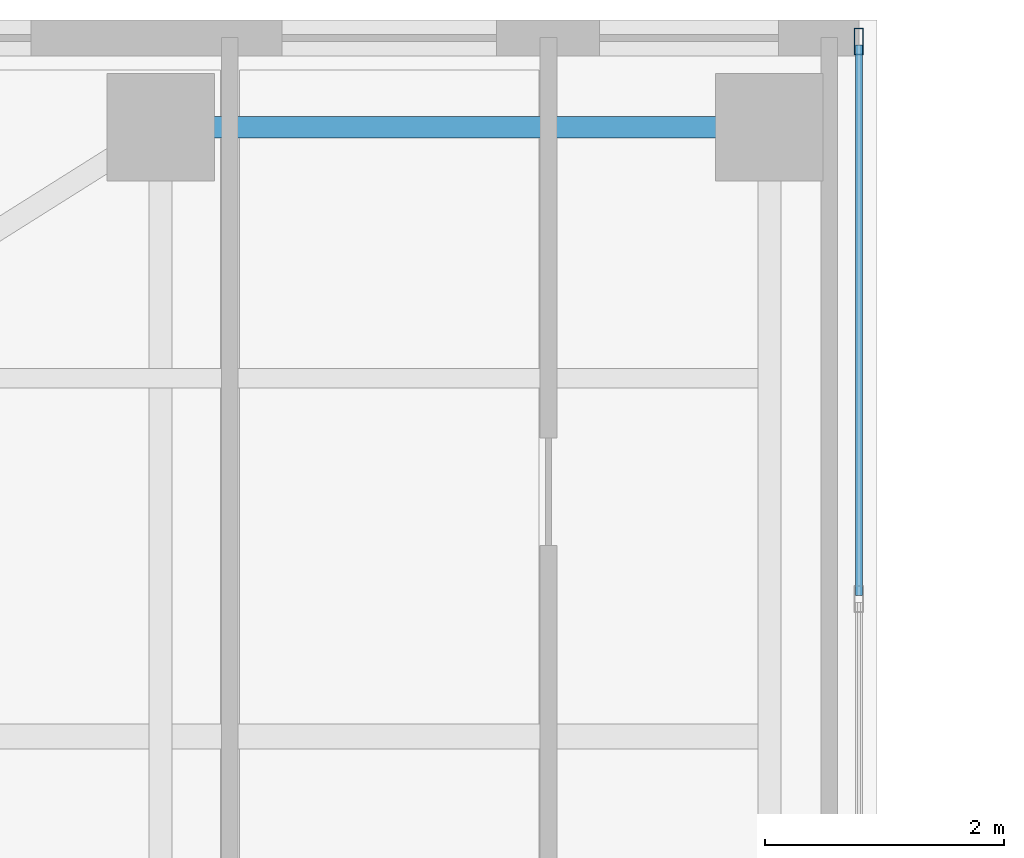
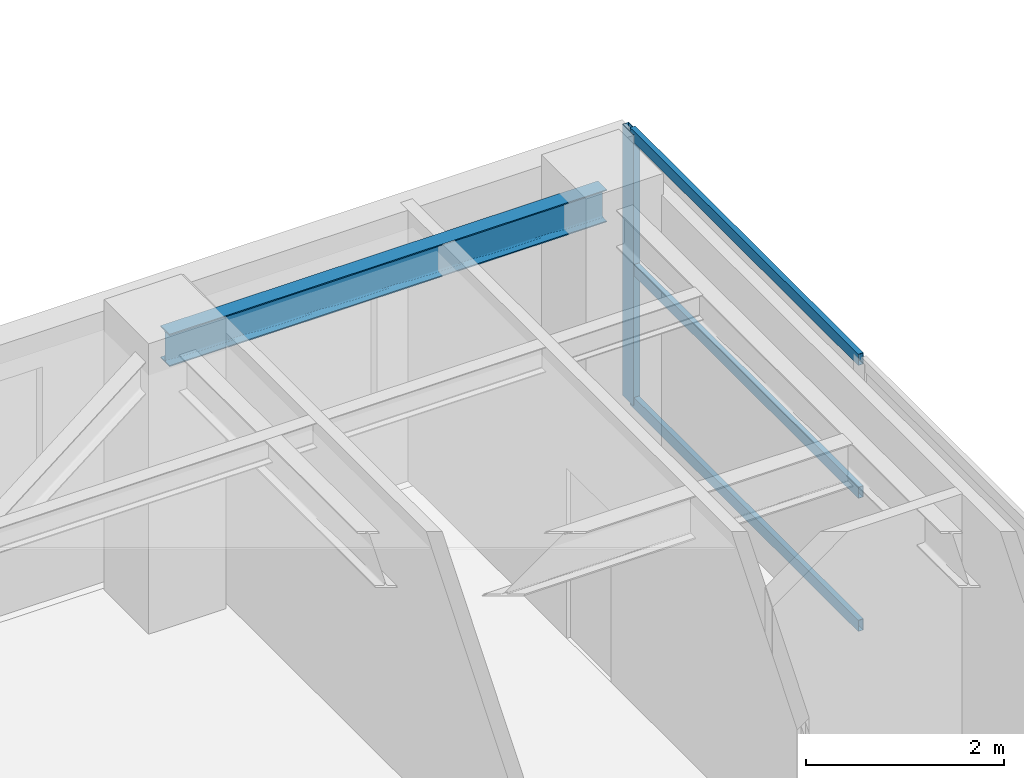
# One storey, part 14 of 22: 4 members, 1 beam, 1 element without a shape of its own.
"""IFC4 building model written with IfcOpenShell, lengths in metres."""

from ifc_helpers import new_model, si_unit, direction, frame, origin, origin_2d, place, context, subcontext, project, spatial, hollow_rectangle, i_section, extrude, source, transform, mapped, material, layer, layer_set, material_profile, profile_set, type_object, element, aggregate, save


model = new_model("IFC4")

# Units and contexts
model_context = context("Model", 3, precision=1e-05, world=origin(), true_north=direction((0.0, 1.0)))
body_context = subcontext(model_context, "Body", "Model", "MODEL_VIEW")
ifc_project = project(units=[si_unit("LENGTHUNIT", "METRE"), si_unit("AREAUNIT", "SQUARE_METRE"), si_unit("VOLUMEUNIT", "CUBIC_METRE"), si_unit("PLANEANGLEUNIT", "RADIAN"), si_unit("MASSUNIT", "GRAM", prefix="KILO")], contexts=[model_context])

# Site, building, storey
site_placement = place(None, origin())
site = spatial("IfcSite", under=ifc_project, at=site_placement, CompositionType="ELEMENT")
building_placement = place(site_placement, origin())
building = spatial("IfcBuilding", under=site, at=building_placement, Name="Khoralis Quay Care Tower", CompositionType="ELEMENT")
storey_placement = place(building_placement, frame((0.0, 0.0, 184.5)))
storey = spatial("IfcBuildingStorey", under=building, at=storey_placement, Name="L48", CompositionType="ELEMENT", Elevation=184.5)

# Beam
ifc_material_1 = material(Name="Steel S355", Category="steel")
ifc_material_profile_1 = material_profile(ifc_material_1, i_section(OverallWidth=0.179931640625, OverallDepth=0.39990234375, WebThickness=0.008544921875, FlangeThickness=0.013427734375, FilletRadius=0.02099609375, at=origin_2d()), Name="Steel S355")
ifc_profile_set_1 = profile_set([ifc_material_profile_1], Name="Steel S355")
beam_type = type_object("IfcBeamType", Name="BM-IPE400", PredefinedType="SPANDREL", material=ifc_profile_set_1)
shared_shape_1 = source(origin(), body_context, "Body", "SweptSolid", [
    extrude(i_section(OverallWidth=0.179931640625, OverallDepth=0.39990234375, WebThickness=0.008544921875, FlangeThickness=0.013427734375, FilletRadius=0.02099609375, at=origin_2d()), origin(), (0.0, 0.0, 1.0), 5.10009765625),
])
beam_placement = place(storey_placement, frame((12.0, 41.10009765625, 3.139892578125), z_axis=(1.0, 0.0, 0.0), x_axis=(0.0, 1.0, 0.0)))
element("IfcBeam", 1, at=beam_placement, inside=storey, type_object=beam_type, Name="BM-TSP-L48-03", PredefinedType="SPANDREL", context=body_context, shape_type="MappedRepresentation", body=[
    mapped(shared_shape_1, transform((0.0, 0.0, 0.0), scale=1.0)),
])

# Curtain wall, members
ifc_material_2 = material(Name="Pale anodised aluminium", Category="aluminium")
ifc_layer = layer(ifc_material_2, 0.18994140625)
ifc_layer_set = layer_set([ifc_layer], Name="Pale anodised aluminium")
curtain_wall_type = type_object("IfcCurtainWallType", Name="CW-SYS-PORTAL", PredefinedType="NOTDEFINED", material=ifc_layer_set)
curtain_wall_placement = place(storey_placement, origin())
curtain_wall = element("IfcCurtainWall", 2, at=curtain_wall_placement, inside=storey, type_object=curtain_wall_type, Name="L48 Unitised Curtain Wall CW-VP-L48-P1-N", PredefinedType="NOTDEFINED")
ifc_material_profile_2 = material_profile(ifc_material_2, hollow_rectangle(XDim=0.074951171875, YDim=0.219970703125, WallThickness=0.00390625, at=origin_2d()), Name="Pale anodised aluminium")
ifc_profile_set_2 = profile_set([ifc_material_profile_2], Name="Pale anodised aluminium")
member_type_1 = type_object("IfcMemberType", Name="CW-MUL-220", PredefinedType="MULLION", material=ifc_profile_set_2)
shared_shape_2 = source(origin(), body_context, "Body", "SweptSolid", [
    extrude(hollow_rectangle(XDim=0.074951171875, YDim=0.219970703125, WallThickness=0.00390625, at=origin_2d()), origin(), (0.0, 0.0, 1.0), 3.340087890625),
])
member_1_placement = place(storey_placement, frame((17.85009765625, 41.820068359375, 0.0), z_axis=(0.0, 0.0, 1.0), x_axis=(-1.0, 0.0, 0.0)))
member_1 = element("IfcMember", 3, at=member_1_placement, type_object=member_type_1, Name="CW4 mullion 4", PredefinedType="MULLION", context=body_context, shape_type="MappedRepresentation", body=[
    mapped(shared_shape_2, transform((0.0, 0.0, 0.0), scale=1.0)),
])
ifc_material_profile_3 = material_profile(ifc_material_2, hollow_rectangle(XDim=0.06005859375, YDim=0.139892578125, WallThickness=0.00390625, at=origin_2d()), Name="Pale anodised aluminium")
ifc_profile_set_3 = profile_set([ifc_material_profile_3], Name="Pale anodised aluminium")
member_type_2 = type_object("IfcMemberType", Name="CW-TRN-140", PredefinedType="USERDEFINED", material=ifc_profile_set_3)
shared_shape_3 = source(origin(), body_context, "Body", "SweptSolid", [
    extrude(hollow_rectangle(XDim=0.06005859375, YDim=0.139892578125, WallThickness=0.00390625, at=origin_2d()), origin(), (0.0, 0.0, 1.0), 4.610107421875),
])
member_2_placement = place(storey_placement, frame((17.85009765625, 37.179931640625, 0.030029296875), z_axis=(0.0, 1.0, 0.0), x_axis=(-1.0, 0.0, 0.0)))
member_2 = element("IfcMember", 4, at=member_2_placement, type_object=member_type_2, Name="CW4 transom 3.1", ObjectType="TRANSOM", PredefinedType="USERDEFINED", context=body_context, shape_type="MappedRepresentation", body=[
    mapped(shared_shape_3, transform((0.0, 0.0, 0.0), scale=1.0)),
])
member_3_placement = place(storey_placement, frame((17.85009765625, 37.179931640625, 1.669921875), z_axis=(0.0, 1.0, 0.0), x_axis=(-1.0, 0.0, 0.0)))
member_3 = element("IfcMember", 5, at=member_3_placement, type_object=member_type_2, Name="CW4 transom 3.2", ObjectType="TRANSOM", PredefinedType="USERDEFINED", context=body_context, shape_type="MappedRepresentation", body=[
    mapped(shared_shape_3, transform((0.0, 0.0, 0.0), scale=1.0)),
])
member_4_placement = place(storey_placement, frame((17.85009765625, 37.179931640625, 3.31005859375), z_axis=(0.0, 1.0, 0.0), x_axis=(-1.0, 0.0, 0.0)))
member_4 = element("IfcMember", 6, at=member_4_placement, type_object=member_type_2, Name="CW4 transom 3.3", ObjectType="TRANSOM", PredefinedType="USERDEFINED", context=body_context, shape_type="MappedRepresentation", body=[
    mapped(shared_shape_3, transform((0.0, 0.0, 0.0), scale=1.0)),
])
aggregate(curtain_wall, [member_1, member_2, member_3, member_4])

save(model, "model.ifc")
